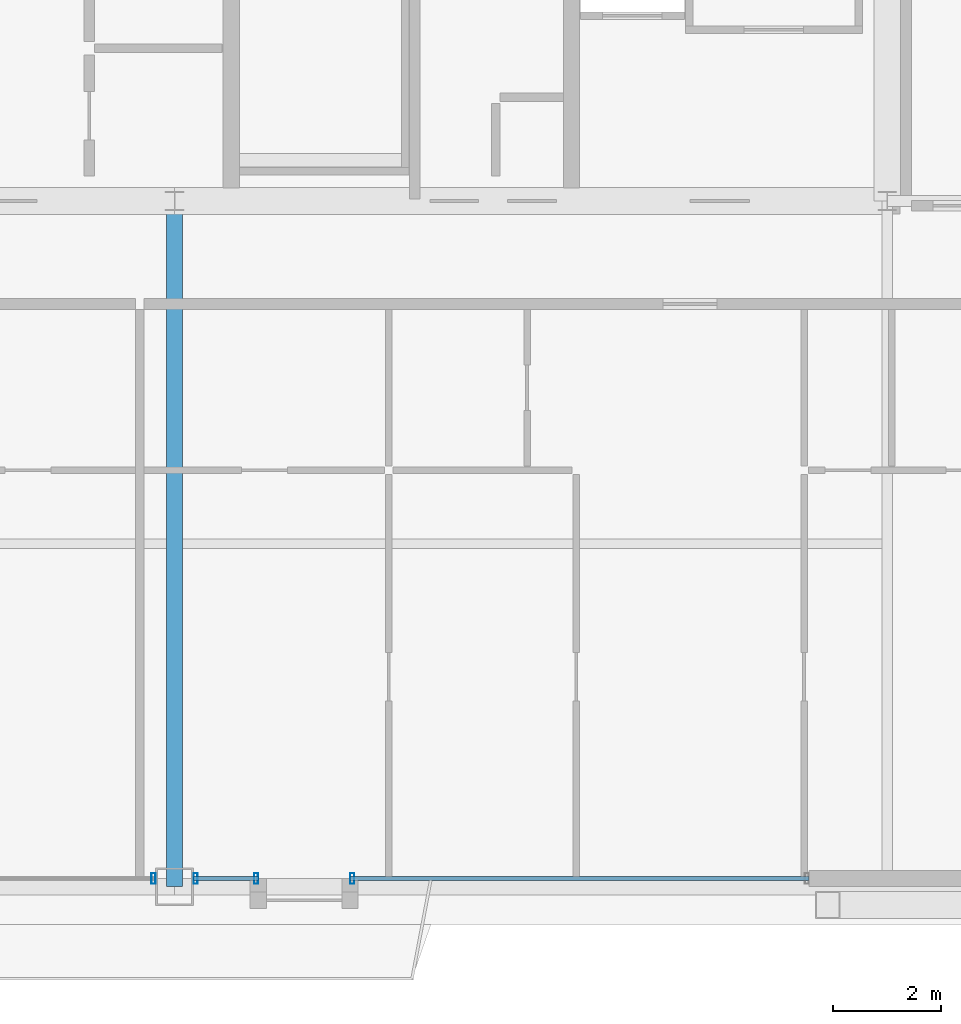
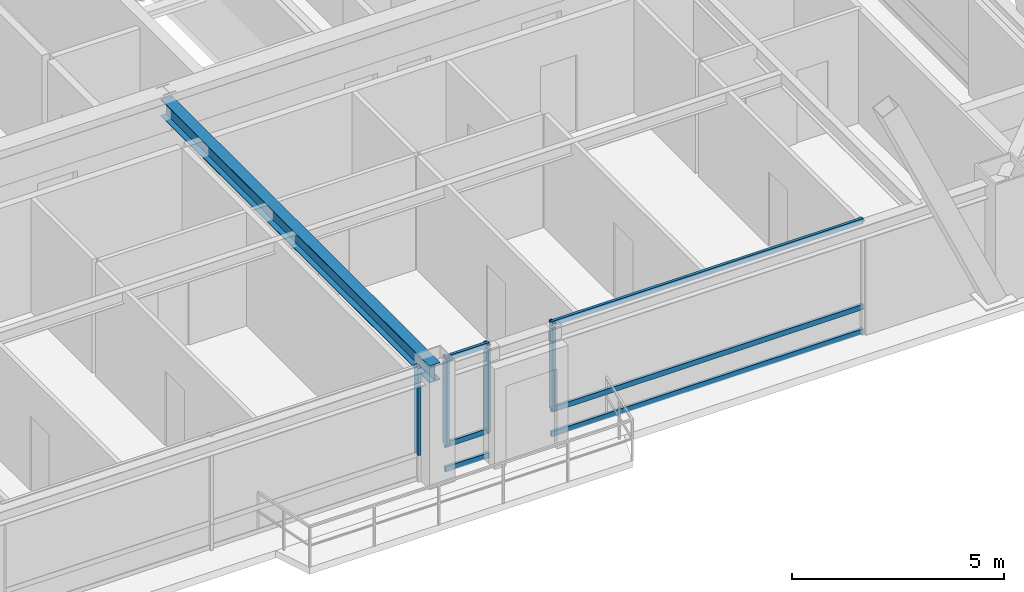
# One storey, part 8 of 35: 10 members, 1 beam, 3 elements without a shape of their own.
"""IFC4 building model written with IfcOpenShell, lengths in metres."""

from ifc_helpers import new_model, si_unit, direction, frame, origin, origin_2d, place, context, subcontext, project, spatial, hollow_rectangle, i_section, extrude, source, transform, mapped, material, layer, layer_set, material_profile, profile_set, type_object, element, aggregate, save


model = new_model("IFC4")

# Units and contexts
model_context = context("Model", 3, precision=1e-05, world=origin(), true_north=direction((0.0, 1.0)))
body_context = subcontext(model_context, "Body", "Model", "MODEL_VIEW")
ifc_project = project(units=[si_unit("LENGTHUNIT", "METRE"), si_unit("AREAUNIT", "SQUARE_METRE"), si_unit("VOLUMEUNIT", "CUBIC_METRE"), si_unit("PLANEANGLEUNIT", "RADIAN"), si_unit("MASSUNIT", "GRAM", prefix="KILO"), si_unit("THERMODYNAMICTEMPERATUREUNIT", "KELVIN"), si_unit("POWERUNIT", "WATT")], contexts=[model_context])

# Site, building, storey
site_placement = place(None, origin())
site = spatial("IfcSite", under=ifc_project, at=site_placement, CompositionType="ELEMENT")
building_placement = place(site_placement, origin())
building = spatial("IfcBuilding", under=site, at=building_placement, Name="Yuzanri Waterfront Tower", CompositionType="ELEMENT")
storey_placement = place(building_placement, frame((0.0, 0.0, 299.60009765625)))
storey = spatial("IfcBuildingStorey", under=building, at=storey_placement, Name="L80", CompositionType="ELEMENT", Elevation=299.60009765625)

# Beam
ifc_material_1 = material(Name="Steel Q355B", Category="steel")
ifc_material_profile_1 = material_profile(ifc_material_1, i_section(OverallWidth=0.300048828125, OverallDepth=0.488037109375, WebThickness=0.010986328125, FlangeThickness=0.01806640625, at=origin_2d()), Name="HM 488x300x11x18")
ifc_profile_set_1 = profile_set([ifc_material_profile_1], Name="Steel Q355B")
beam_type = type_object("IfcBeamType", Name="Primary Floor Girder Q355B HM 488x300", PredefinedType="BEAM", material=ifc_profile_set_1)
shared_shape_1 = source(origin(), body_context, "Body", "SweptSolid", [
    extrude(i_section(OverallWidth=0.300048828125, OverallDepth=0.488037109375, WebThickness=0.010986328125, FlangeThickness=0.01806640625, at=origin_2d()), origin(), (0.0, 0.0, 1.0), 12.699951171875),
])
beam_placement = place(storey_placement, frame((37.0, 19.39990234375, 3.035888671875), z_axis=(0.0, -1.0, 0.0), x_axis=(1.0, 0.0, 0.0)))
element("IfcBeam", 1, at=beam_placement, inside=storey, type_object=beam_type, Name="L80 South Grid Girder", PredefinedType="BEAM", context=body_context, shape_type="MappedRepresentation", body=[
    mapped(shared_shape_1, transform((0.0, 0.0, 0.0), scale=1.0)),
])

# Curtain wall, member
ifc_material_2 = material(Name="Anodized Architectural Bronze", Category="metal")
ifc_layer = layer(ifc_material_2, 0.159912109375)
ifc_layer_set = layer_set([ifc_layer], Name="Anodized Architectural Bronze")
curtain_wall_type = type_object("IfcCurtainWallType", Name="Anodized Bronze High-Rise Penthouse High-Wind Unitized Curtain Wall 6900", PredefinedType="NOTDEFINED", material=ifc_layer_set)
curtain_wall_1_placement = place(storey_placement, origin())
curtain_wall_1 = element("IfcCurtainWall", 2, at=curtain_wall_1_placement, inside=storey, type_object=curtain_wall_type, Name="L80 Curtain Wall CW-L80-SL", PredefinedType="NOTDEFINED")
ifc_material_3 = material(Name="Anodized Architectural Bronze", Category="metal")
ifc_material_profile_2 = material_profile(ifc_material_3, hollow_rectangle(XDim=0.074951171875, YDim=0.199951171875, WallThickness=0.00390625, at=origin_2d()), Name="CWM 75x200")
ifc_profile_set_2 = profile_set([ifc_material_profile_2], Name="Anodized Architectural Bronze")
member_type_1 = type_object("IfcMemberType", Name="Anodized Bronze Primary Curtain-Wall Mullion 75x200", PredefinedType="MULLION", material=ifc_profile_set_2)
shared_shape_2 = source(origin(), body_context, "Body", "SweptSolid", [
    extrude(hollow_rectangle(XDim=0.074951171875, YDim=0.199951171875, WallThickness=0.00390625, at=origin_2d()), origin(), (0.0, 0.0, 1.0), 2.52392578125),
])
member_1_placement = place(storey_placement, frame((36.610107421875, 6.85009765625, 0.755859375), z_axis=(0.0, 0.0, 1.0), x_axis=(1.0, 0.0, 0.0)))
member_1 = element("IfcMember", 3, at=member_1_placement, type_object=member_type_1, Name="CW-L80-SL Upper Mullion 02", PredefinedType="MULLION", context=body_context, shape_type="MappedRepresentation", body=[
    mapped(shared_shape_2, transform((0.0, 0.0, 0.0), scale=1.0)),
])
aggregate(curtain_wall_1, [member_1])

# Curtain wall, members
curtain_wall_2_placement = place(storey_placement, origin())
curtain_wall_2 = element("IfcCurtainWall", 4, at=curtain_wall_2_placement, inside=storey, type_object=curtain_wall_type, Name="L80 Curtain Wall CW-L80-SR1", PredefinedType="NOTDEFINED")
member_2_placement = place(storey_placement, frame((37.389892578125, 6.85009765625, 0.755859375), z_axis=(0.0, 0.0, 1.0), x_axis=(1.0, 0.0, 0.0)))
member_2 = element("IfcMember", 5, at=member_2_placement, type_object=member_type_1, Name="CW-L80-SR1 Upper Mullion 00", PredefinedType="MULLION", context=body_context, shape_type="MappedRepresentation", body=[
    mapped(shared_shape_2, transform((0.0, 0.0, 0.0), scale=1.0)),
])
member_3_placement = place(storey_placement, frame((38.510009765625, 6.85009765625, 0.755859375), z_axis=(0.0, 0.0, 1.0), x_axis=(1.0, 0.0, 0.0)))
member_3 = element("IfcMember", 6, at=member_3_placement, type_object=member_type_1, Name="CW-L80-SR1 Upper Mullion 01", PredefinedType="MULLION", context=body_context, shape_type="MappedRepresentation", body=[
    mapped(shared_shape_2, transform((0.0, 0.0, 0.0), scale=1.0)),
])

# Curtain wall, member
curtain_wall_3_placement = place(storey_placement, origin())
curtain_wall_3 = element("IfcCurtainWall", 7, at=curtain_wall_3_placement, inside=storey, type_object=curtain_wall_type, Name="L80 Curtain Wall CW-L80-SR2", PredefinedType="NOTDEFINED")
member_4_placement = place(storey_placement, frame((40.2900390625, 6.85009765625, 0.755859375), z_axis=(0.0, 0.0, 1.0), x_axis=(1.0, 0.0, 0.0)))
member_4 = element("IfcMember", 8, at=member_4_placement, type_object=member_type_1, Name="CW-L80-SR2 Upper Mullion 00", PredefinedType="MULLION", context=body_context, shape_type="MappedRepresentation", body=[
    mapped(shared_shape_2, transform((0.0, 0.0, 0.0), scale=1.0)),
])

# Member
ifc_material_4 = material(Name="Anodized Architectural Bronze", Category="metal")
ifc_material_profile_3 = material_profile(ifc_material_4, hollow_rectangle(XDim=0.074951171875, YDim=0.14990234375, WallThickness=0.00390625, at=origin_2d()), Name="CWT 75x150")
ifc_profile_set_3 = profile_set([ifc_material_profile_3], Name="Anodized Architectural Bronze")
member_type_2 = type_object("IfcMemberType", Name="Anodized Bronze Primary Curtain-Wall Transom 75x150", PredefinedType="USERDEFINED", material=ifc_profile_set_3)
shared_shape_3 = source(origin(), body_context, "Body", "SweptSolid", [
    extrude(hollow_rectangle(XDim=0.074951171875, YDim=0.14990234375, WallThickness=0.00390625, at=origin_2d()), origin(), (0.0, 0.0, 1.0), 1.199951171875),
])
member_5_placement = place(storey_placement, frame((37.35009765625, 6.85009765625, 0.0498046875), z_axis=(1.0, 0.0, 0.0), x_axis=(0.0, 1.0, 0.0)))
member_5 = element("IfcMember", 9, at=member_5_placement, type_object=member_type_2, Name="CW-L80-SR1 Transom 1", ObjectType="TRANSOM", PredefinedType="USERDEFINED", context=body_context, shape_type="MappedRepresentation", body=[
    mapped(shared_shape_3, transform((0.0, 0.0, 0.0), scale=1.0)),
])

member_6_placement = place(storey_placement, frame((37.35009765625, 6.85009765625, 0.75390625), z_axis=(1.0, 0.0, 0.0), x_axis=(0.0, 1.0, 0.0)))
member_6 = element("IfcMember", 10, at=member_6_placement, type_object=member_type_2, Name="CW-L80-SR1 Transom 2", ObjectType="TRANSOM", PredefinedType="USERDEFINED", context=body_context, shape_type="MappedRepresentation", body=[
    mapped(shared_shape_3, transform((0.0, 0.0, 0.0), scale=1.0)),
])

member_7_placement = place(storey_placement, frame((37.35009765625, 6.85009765625, 3.22998046875), z_axis=(1.0, 0.0, 0.0), x_axis=(0.0, 1.0, 0.0)))
member_7 = element("IfcMember", 11, at=member_7_placement, type_object=member_type_2, Name="CW-L80-SR1 Transom 3", ObjectType="TRANSOM", PredefinedType="USERDEFINED", context=body_context, shape_type="MappedRepresentation", body=[
    mapped(shared_shape_3, transform((0.0, 0.0, 0.0), scale=1.0)),
])

aggregate(curtain_wall_2, [member_2, member_3, member_5, member_6, member_7])

shared_shape_4 = source(origin(), body_context, "Body", "SweptSolid", [
    extrude(hollow_rectangle(XDim=0.074951171875, YDim=0.14990234375, WallThickness=0.00390625, at=origin_2d()), origin(), (0.0, 0.0, 1.0), 8.5),
])
member_8_placement = place(storey_placement, frame((40.25, 6.85009765625, 0.0498046875), z_axis=(1.0, 0.0, 0.0), x_axis=(0.0, 1.0, 0.0)))
member_8 = element("IfcMember", 12, at=member_8_placement, type_object=member_type_2, Name="CW-L80-SR2 Transom 1", ObjectType="TRANSOM", PredefinedType="USERDEFINED", context=body_context, shape_type="MappedRepresentation", body=[
    mapped(shared_shape_4, transform((0.0, 0.0, 0.0), scale=1.0)),
])

member_9_placement = place(storey_placement, frame((40.25, 6.85009765625, 0.75390625), z_axis=(1.0, 0.0, 0.0), x_axis=(0.0, 1.0, 0.0)))
member_9 = element("IfcMember", 13, at=member_9_placement, type_object=member_type_2, Name="CW-L80-SR2 Transom 2", ObjectType="TRANSOM", PredefinedType="USERDEFINED", context=body_context, shape_type="MappedRepresentation", body=[
    mapped(shared_shape_4, transform((0.0, 0.0, 0.0), scale=1.0)),
])

member_10_placement = place(storey_placement, frame((40.25, 6.85009765625, 3.22998046875), z_axis=(1.0, 0.0, 0.0), x_axis=(0.0, 1.0, 0.0)))
member_10 = element("IfcMember", 14, at=member_10_placement, type_object=member_type_2, Name="CW-L80-SR2 Transom 3", ObjectType="TRANSOM", PredefinedType="USERDEFINED", context=body_context, shape_type="MappedRepresentation", body=[
    mapped(shared_shape_4, transform((0.0, 0.0, 0.0), scale=1.0)),
])

aggregate(curtain_wall_3, [member_4, member_8, member_9, member_10])

save(model, "model.ifc")
